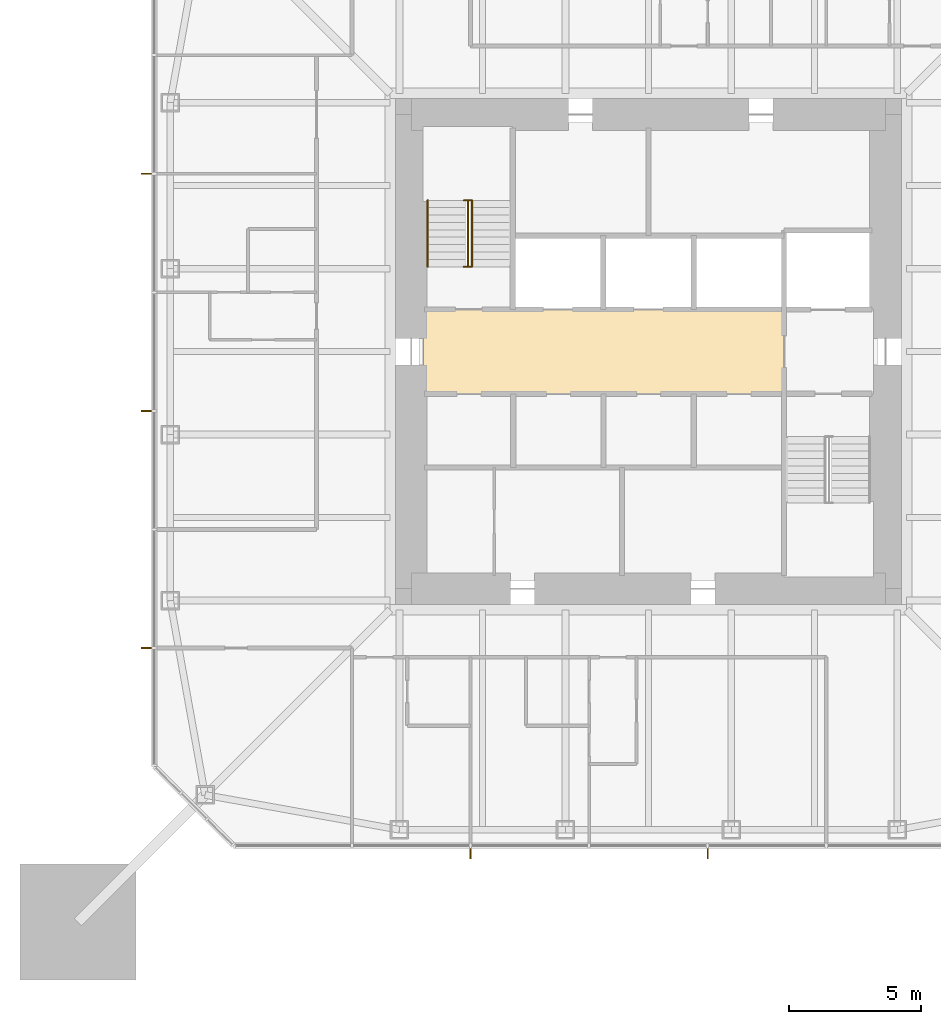
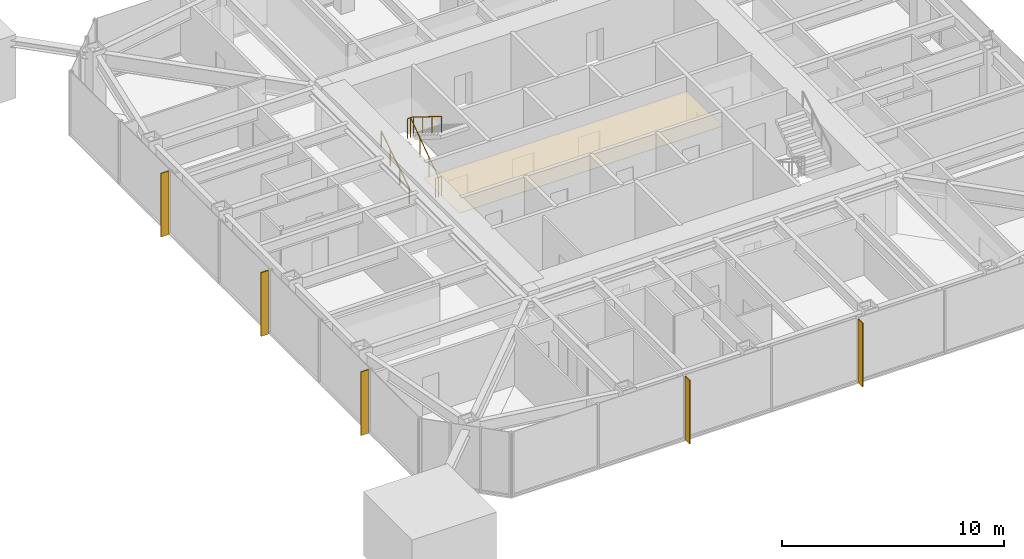
# One storey, part 9 of 11: 5 shading devices, 3 railings, 1 covering.
"""IFC4 building model written with IfcOpenShell, lengths in metres."""

import ifcopenshell
import ifcopenshell.guid

model = None  # the IFC model being written
_history = None  # IfcOwnerHistory: only IFC2X3 demands one
_inside = {}  # id of a spatial element -> (the spatial element, [elements in it])
_under = {}  # id of a project, library or spatial element -> (it, [spatial elements below it])
_declared = {}  # id of a project -> (the project, [libraries it declares])
_typed = {}  # id of a type object -> (the type object, [elements of that type])
_made_of = {}  # id of a material, layer set ... -> (it, [elements and type objects made of it])


def new_model(schema):
    """Start an empty IFC model of exactly this schema.

    Asked for "IFC4X3", IfcOpenShell would pick the latest addendum, in which some entities
    have other attributes; the version numbers below select the first issue.
    IFC2X3 requires an IfcOwnerHistory on every rooted entity: one is made here for all.
    """
    global model, _history
    if schema == "IFC4X3":
        model = ifcopenshell.file(schema_version=(4, 3, 0, 0))
    else:
        model = ifcopenshell.file(schema=schema)
    _inside.clear()
    _under.clear()
    _declared.clear()
    _typed.clear()
    _made_of.clear()
    _history = None
    if model.schema == "IFC2X3":
        org = make("IfcOrganization", Name="unknown")
        user = make(
            "IfcPersonAndOrganization",
            ThePerson=make("IfcPerson", FamilyName="unknown"),
            TheOrganization=org,
        )
        app = make(
            "IfcApplication",
            ApplicationDeveloper=org,
            Version="unknown",
            ApplicationFullName="unknown",
            ApplicationIdentifier="unknown",
        )
        _history = make(
            "IfcOwnerHistory",
            OwningUser=user,
            OwningApplication=app,
            ChangeAction="ADDED",
            CreationDate=0,
        )
    return model


def make(cls, **values):
    """One entity of the class cls with the attributes given. An attribute that is None is left unset."""
    return model.create_entity(
        cls, **{name: value for name, value in values.items() if value is not None}
    )


def rooted(cls, **values):
    """An entity with a GlobalId (a new one), such as an element, a storey or a relation."""
    return make(cls, GlobalId=ifcopenshell.guid.new(), OwnerHistory=_history, **values)


def si_unit(unit_type, name, prefix=None):
    """IfcSIUnit, for example si_unit("LENGTHUNIT", "METRE", prefix="MILLI")."""
    return make("IfcSIUnit", UnitType=unit_type, Prefix=prefix, Name=name)


def assignment(units):
    """IfcUnitAssignment: the units of a project."""
    return None if units is None else make("IfcUnitAssignment", Units=units)


def point(xyz):
    """IfcCartesianPoint."""
    return None if xyz is None else make("IfcCartesianPoint", Coordinates=xyz)


def direction(xyz):
    """IfcDirection."""
    return None if xyz is None else make("IfcDirection", DirectionRatios=xyz)


def frame(location, z_axis=None, x_axis=None):
    """IfcAxis2Placement3D, a coordinate frame: its origin and axes. An axis left out is left unset."""
    return make(
        "IfcAxis2Placement3D",
        Location=point(location),
        Axis=direction(z_axis),
        RefDirection=direction(x_axis),
    )


def frame_2d(location, x_axis=None):
    """IfcAxis2Placement2D, a coordinate frame in the plane: its origin and x axis."""
    return make(
        "IfcAxis2Placement2D", Location=point(location), RefDirection=direction(x_axis)
    )


def origin():
    """The frame at (0, 0, 0) with its axes left unset."""
    return frame((0.0, 0.0, 0.0))


def origin_2d():
    """The frame at (0, 0) in the plane with its x axis left unset."""
    return frame_2d((0.0, 0.0))


def place(relative_to, where):
    """IfcLocalPlacement: puts the frame where relative to a parent placement (None: the world)."""
    return make(
        "IfcLocalPlacement", PlacementRelTo=relative_to, RelativePlacement=where
    )


def context(
    kind, dimensions, precision=None, world=None, true_north=None, identifier=None
):
    """IfcGeometricRepresentationContext, for example the 3D "Model" context."""
    return make(
        "IfcGeometricRepresentationContext",
        ContextIdentifier=identifier,
        ContextType=kind,
        CoordinateSpaceDimension=dimensions,
        Precision=precision,
        WorldCoordinateSystem=world,
        TrueNorth=true_north,
    )


def subcontext(parent, identifier, kind, view, scale=None):
    """IfcGeometricRepresentationSubContext, for example "Body" below "Model"."""
    return make(
        "IfcGeometricRepresentationSubContext",
        ContextIdentifier=identifier,
        ContextType=kind,
        ParentContext=parent,
        TargetScale=scale,
        TargetView=view,
    )


def project(units=None, contexts=None):
    """IfcProject with its units and contexts."""
    return rooted(
        "IfcProject",
        Name="project",
        RepresentationContexts=contexts,
        UnitsInContext=assignment(units),
    )


def spatial(cls, under=None, at=None, **own):
    """A site, building, storey or space (cls), placed at a placement, below another one or the project."""
    s = rooted(cls, ObjectPlacement=at, **own)
    if under is not None:
        _under.setdefault(under.id(), (under, []))[1].append(s)
    return s


def polyline(points):
    """IfcPolyline through the points."""
    return make("IfcPolyline", Points=[point(p) for p in points])


def profile(cls, at=None, kind="AREA", **sizes):
    """A parametric profile (cls). Its sizes go by their IFC names, for example OverallWidth=200.0."""
    return make(cls, ProfileType=kind, Position=at, **sizes)


def rectangle(**sizes):
    """IfcRectangleProfileDef."""
    return profile("IfcRectangleProfileDef", **sizes)


def circle(**sizes):
    """IfcCircleProfileDef."""
    return profile("IfcCircleProfileDef", **sizes)


def outline(outer, holes=None, kind="AREA"):
    """IfcArbitraryClosedProfileDef: a profile drawn as a closed curve; with holes, ...WithVoids."""
    if holes is None:
        return make("IfcArbitraryClosedProfileDef", ProfileType=kind, OuterCurve=outer)
    return make(
        "IfcArbitraryProfileDefWithVoids",
        ProfileType=kind,
        OuterCurve=outer,
        InnerCurves=holes,
    )


def extrude(swept, where, along, depth):
    """IfcExtrudedAreaSolid: the profile swept, set in the frame where, extruded along a direction by depth."""
    return make(
        "IfcExtrudedAreaSolid",
        SweptArea=swept,
        Position=where,
        ExtrudedDirection=direction(along),
        Depth=depth,
    )


def shape(context_of_items, identifier, shape_type, items):
    """IfcShapeRepresentation: the items that make up one representation, for example the "Body"."""
    return make(
        "IfcShapeRepresentation",
        ContextOfItems=context_of_items,
        RepresentationIdentifier=identifier,
        RepresentationType=shape_type,
        Items=items,
    )


def material(Name=None, Category=None):
    """IfcMaterial."""
    return make("IfcMaterial", Name=Name, Category=Category)


def layer(
    of_material, thickness, ventilated=None, Name=None, Category=None, Priority=None
):
    """IfcMaterialLayer: one layer of a wall or slab, of a material (None: an air gap)."""
    return make(
        "IfcMaterialLayer",
        Material=of_material,
        LayerThickness=thickness,
        IsVentilated=ventilated,
        Name=Name,
        Category=Category,
        Priority=Priority,
    )


def layer_set(layers, Name=None):
    """IfcMaterialLayerSet."""
    return make("IfcMaterialLayerSet", MaterialLayers=layers, LayerSetName=Name)


def constituent(of_material, Name=None, Category=None, fraction=None):
    """IfcMaterialConstituent: one of the materials an element consists of."""
    return make(
        "IfcMaterialConstituent",
        Name=Name,
        Material=of_material,
        Fraction=fraction,
        Category=Category,
    )


def constituent_set(constituents=None, Name=None):
    """IfcMaterialConstituentSet."""
    return make(
        "IfcMaterialConstituentSet", Name=Name, MaterialConstituents=constituents
    )


def made_of(thing, what):
    """Note that an element or type object is made of a material, layer set ...; save() writes the relation."""
    if what is not None:
        _made_of.setdefault(what.id(), (what, []))[1].append(thing)
    return thing


def type_object(cls, material=None, **own):
    """A type object (cls), such as IfcWallType, which elements share."""
    return made_of(rooted(cls, **own), material)


def element(
    cls,
    number,
    at=None,
    inside=None,
    cuts=None,
    type_object=None,
    material=None,
    context=None,
    identifier="Body",
    shape_type=None,
    held_by="IfcProductDefinitionShape",
    body=None,
    shapes=None,
    **own,
):
    """One element of the class cls, such as IfcWall. Its Tag is "e" and its number.

    at: its placement. inside: the storey or other place that contains it. cuts: it is an
    opening in that element (IfcRelVoidsElement). A single representation is given by context,
    identifier, shape_type and body (its items); several are given by shapes. held_by: the class
    of the entity that holds the representations. save() writes the other relations.
    """
    e = rooted(cls, Tag="e%d" % number, ObjectPlacement=at, **own)
    if body is not None:
        shapes = [shape(context, identifier, shape_type, body)]
    if shapes is not None:
        e.Representation = make(held_by, Representations=shapes)
    if inside is not None:
        _inside.setdefault(inside.id(), (inside, []))[1].append(e)
    if cuts is not None:
        rooted(
            "IfcRelVoidsElement", RelatingBuildingElement=cuts, RelatedOpeningElement=e
        )
    if type_object is not None:
        _typed.setdefault(type_object.id(), (type_object, []))[1].append(e)
    return made_of(e, material)


def aggregate(whole, parts):
    """IfcRelAggregates: a whole, such as a stair, and the parts it consists of."""
    return rooted("IfcRelAggregates", RelatingObject=whole, RelatedObjects=parts)


def save(model, path):
    """Write the relations noted so far, then the file.

    IfcRelAggregates (storeys below a building ...), IfcRelContainedInSpatialStructure (elements
    in a storey), IfcRelDefinesByType, IfcRelAssociatesMaterial and IfcRelDeclares: one each for
    every whole, place, type object, material and project.
    """
    for whole, parts in _under.values():
        aggregate(whole, parts)
    for where, things in _inside.values():
        rooted(
            "IfcRelContainedInSpatialStructure",
            RelatedElements=things,
            RelatingStructure=where,
        )
    for kind, things in _typed.values():
        rooted("IfcRelDefinesByType", RelatedObjects=things, RelatingType=kind)
    for what, things in _made_of.values():
        rooted("IfcRelAssociatesMaterial", RelatedObjects=things, RelatingMaterial=what)
    for by, libraries in _declared.values():
        rooted("IfcRelDeclares", RelatingContext=by, RelatedDefinitions=libraries)
    model.write(path)


model = new_model("IFC4")

# Units and contexts
model_context = context("Model", 3, precision=1e-05, world=origin(), true_north=direction((0.0, 1.0)))
body_context = subcontext(model_context, "Body", "Model", "MODEL_VIEW")
ifc_project = project(units=[si_unit("LENGTHUNIT", "METRE"), si_unit("AREAUNIT", "SQUARE_METRE"), si_unit("VOLUMEUNIT", "CUBIC_METRE"), si_unit("PLANEANGLEUNIT", "RADIAN"), si_unit("MASSUNIT", "GRAM", prefix="KILO")], contexts=[model_context])

# Site, building, storey
site_placement = place(None, origin())
site = spatial("IfcSite", under=ifc_project, at=site_placement, CompositionType="ELEMENT")
building_placement = place(site_placement, origin())
building = spatial("IfcBuilding", under=site, at=building_placement, Name="Iwan Alto Co-Living Towers", CompositionType="ELEMENT")
storey_placement = place(building_placement, frame((0.0, 0.0, 188.0)))
storey = spatial("IfcBuildingStorey", under=building, at=storey_placement, Name="L51", CompositionType="ELEMENT", Elevation=188.0)

# Covering
ifc_material_1 = material(Name="Mineral fibre acoustic tiles on steel grid", Category="steel")
ifc_layer_1 = layer(ifc_material_1, 0.02001953125)
ifc_layer_set_1 = layer_set([ifc_layer_1], Name="ACOUSTIC TILE CEILING 20")
covering_type = type_object("IfcCoveringType", Name="ACOUSTIC TILE CEILING 20", PredefinedType="CEILING", material=ifc_layer_set_1)
covering_placement = place(storey_placement, frame((0.0, 0.0, 2.60009765625)))
element("IfcCovering", 1, at=covering_placement, inside=storey, type_object=covering_type, Name="Ceiling Lift lobby L51", PredefinedType="CEILING", context=body_context, shape_type="SweptSolid", body=[
    extrude(outline(polyline([(-8.550048828125, -1.60009765625), (-8.550048828125, 1.60009765625), (5.14990234375, 1.60009765625), (5.14990234375, -1.60009765625), (-8.550048828125, -1.60009765625)])), origin(), (0.0, 0.0, 1.0), 0.02001953125),
])

# Shading devices
ifc_material_2 = material(Name="Aluminium 6063-T6 bronze anodised", Category="aluminium")
ifc_layer_2 = layer(ifc_material_2, 0.050048828125)
ifc_layer_set_2 = layer_set([ifc_layer_2], Name="BRONZE FIN 50X400")
shading_device_type = type_object("IfcShadingDeviceType", Name="BRONZE FIN 50X400", PredefinedType="USERDEFINED", material=ifc_layer_set_2)
for number, where, z_axis, x_axis, name in (
    (2, (-6.75, -19.050048828125, 0.0), (0.0, 0.0, 1.0), (1.0, 0.0, 0.0), "Bronze fin L51"),
    (3, (2.25, -19.050048828125, 0.0), (0.0, 0.0, 1.0), (1.0, 0.0, 0.0), "Bronze fin L51"),
    (4, (-19.050048828125, 6.75, 0.0), (0.0, 0.0, 1.0), (0.0, -1.0, 0.0), "Bronze fin L51"),
    (5, (-19.050048828125, -2.25, 0.0), (0.0, 0.0, 1.0), (0.0, -1.0, 0.0), "Bronze fin L51"),
    (6, (-19.050048828125, -11.25, 0.0), (0.0, 0.0, 1.0), (0.0, -1.0, 0.0), "Bronze fin L51"),
):
    element("IfcShadingDevice", number, at=place(storey_placement, frame(where, z_axis=z_axis, x_axis=x_axis)), inside=storey, type_object=shading_device_type, Name=name, ObjectType="LOUVER", PredefinedType="USERDEFINED", context=body_context, shape_type="SweptSolid", body=[
        extrude(rectangle(XDim=0.050048828125, YDim=0.39990234375, at=origin_2d()), origin(), (0.0, 0.0, 1.0), 3.5),
    ])

# Railings
ifc_material_3 = material(Name="Steel ASTM A500 Gr C", Category="steel")
ifc_constituent_1 = constituent(ifc_material_3, Name="Rails and posts", Category="Framing")
ifc_material_4 = material(Name="Steel ASTM A36", Category="steel")
ifc_constituent_2 = constituent(ifc_material_4, Name="Bar infill", Category="Infill")
ifc_constituent_set = constituent_set(constituents=[ifc_constituent_1, ifc_constituent_2], Name="STAIR GUARD 1100")
railing_type_1 = type_object("IfcRailingType", Name="STAIR GUARD 1100", PredefinedType="GUARDRAIL", material=ifc_constituent_set)
railing_1_placement = place(storey_placement, frame((-6.85009765625, 3.219970703125, 0.0)))
element("IfcRailing", 7, at=railing_1_placement, inside=storey, type_object=railing_type_1, Name="Stair T1-S1 well guard L51", PredefinedType="GUARDRAIL", context=body_context, shape_type="SweptSolid", body=[
    extrude(circle(Radius=0.02392578125, at=origin_2d()), frame((0.0, 0.0, 1.076171875), z_axis=(0.0, 0.821372036852, 0.570392826987), x_axis=(-1.0, 0.0, 0.0)), (0.0, 0.0, 1.0), 3.068115234375),
    extrude(circle(Radius=0.02392578125, at=origin_2d()), frame((-0.14990234375, 0.0, 1.076171875), z_axis=(1.0, 0.0, 0.0), x_axis=(0.0, 1.0, 0.0)), (0.0, 0.0, 1.0), 0.300048828125),
    extrude(circle(Radius=0.02392578125, at=origin_2d()), frame((-0.14990234375, 2.52001953125, 2.826171875), z_axis=(1.0, 0.0, 0.0), x_axis=(0.0, 1.0, 0.0)), (0.0, 0.0, 1.0), 0.300048828125),
    extrude(circle(Radius=0.02099609375, at=origin_2d()), origin(), (0.0, 0.0, 1.0), 1.052001953125),
    extrude(circle(Radius=0.02099609375, at=origin_2d()), frame((0.0, 0.840087890625, 0.583251953125)), (0.0, 0.0, 1.0), 1.052001953125),
    extrude(circle(Radius=0.02099609375, at=origin_2d()), frame((0.0, 1.679931640625, 1.166748046875)), (0.0, 0.0, 1.0), 1.052001953125),
    extrude(circle(Radius=0.02099609375, at=origin_2d()), frame((0.0, 2.52001953125, 1.75)), (0.0, 0.0, 1.0), 1.052001953125),
    extrude(circle(Radius=0.02099609375, at=origin_2d()), frame((-0.14990234375, 0.0, 0.0)), (0.0, 0.0, 1.0), 1.052001953125),
    extrude(circle(Radius=0.02099609375, at=origin_2d()), frame((0.150146484375, 0.0, 0.0)), (0.0, 0.0, 1.0), 1.052001953125),
    extrude(circle(Radius=0.02099609375, at=origin_2d()), frame((-0.14990234375, 2.52001953125, 1.75)), (0.0, 0.0, 1.0), 1.052001953125),
    extrude(circle(Radius=0.02099609375, at=origin_2d()), frame((0.150146484375, 2.52001953125, 1.75)), (0.0, 0.0, 1.0), 1.052001953125),
])
ifc_material_5 = material(Name="Steel ASTM A500 Gr C", Category="steel")
railing_type_2 = type_object("IfcRailingType", Name="STAIR HANDRAIL 900", PredefinedType="HANDRAIL", material=ifc_material_5)
railing_2_placement = place(storey_placement, frame((-8.3798828125, 3.219970703125, 0.175048828125)))
element("IfcRailing", 8, at=railing_2_placement, inside=storey, type_object=railing_type_2, Name="Stair T1-S1 handrail 1 L51", PredefinedType="HANDRAIL", context=body_context, shape_type="SweptSolid", body=[
    extrude(circle(Radius=0.02392578125, at=origin_2d()), frame((0.0, 0.0, 0.8759765625), z_axis=(0.0, 0.848007534815, 0.529984170421), x_axis=(-1.0, 0.0, 0.0)), (0.0, 0.0, 1.0), 2.9716796875),
    extrude(circle(Radius=0.02099609375, at=origin_2d()), origin(), (0.0, 0.0, 1.0), 0.851806640625),
    extrude(circle(Radius=0.02099609375, at=origin_2d()), frame((0.0, 0.840087890625, 0.52490234375)), (0.0, 0.0, 1.0), 0.851806640625),
    extrude(circle(Radius=0.02099609375, at=origin_2d()), frame((0.0, 1.679931640625, 1.050048828125)), (0.0, 0.0, 1.0), 0.851806640625),
    extrude(circle(Radius=0.02099609375, at=origin_2d()), frame((0.0, 2.52001953125, 1.574951171875)), (0.0, 0.0, 1.0), 0.851806640625),
])
railing_3_placement = place(storey_placement, frame((-6.699951171875, 5.739990234375, 1.925048828125)))
element("IfcRailing", 9, at=railing_3_placement, inside=storey, type_object=railing_type_2, Name="Stair T1-S1 handrail 2 L51", PredefinedType="HANDRAIL", context=body_context, shape_type="SweptSolid", body=[
    extrude(circle(Radius=0.02392578125, at=origin_2d()), frame((0.0, 0.0, 0.8759765625), z_axis=(0.0, -0.848007534815, 0.529984170421), x_axis=(1.0, 0.0, 0.0)), (0.0, 0.0, 1.0), 2.9716796875),
    extrude(circle(Radius=0.02099609375, at=origin_2d()), origin(), (0.0, 0.0, 1.0), 0.851806640625),
    extrude(circle(Radius=0.02099609375, at=origin_2d()), frame((0.0, -0.840087890625, 0.52490234375)), (0.0, 0.0, 1.0), 0.851806640625),
    extrude(circle(Radius=0.02099609375, at=origin_2d()), frame((0.0, -1.679931640625, 1.050048828125)), (0.0, 0.0, 1.0), 0.851806640625),
    extrude(circle(Radius=0.02099609375, at=origin_2d()), frame((0.0, -2.52001953125, 1.574951171875)), (0.0, 0.0, 1.0), 0.851806640625),
])

save(model, "model.ifc")
